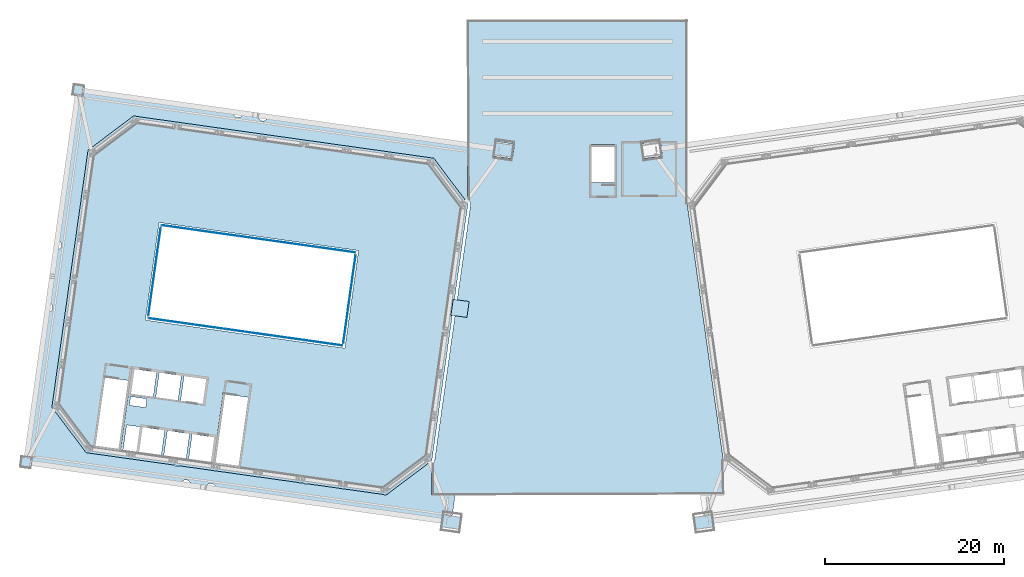
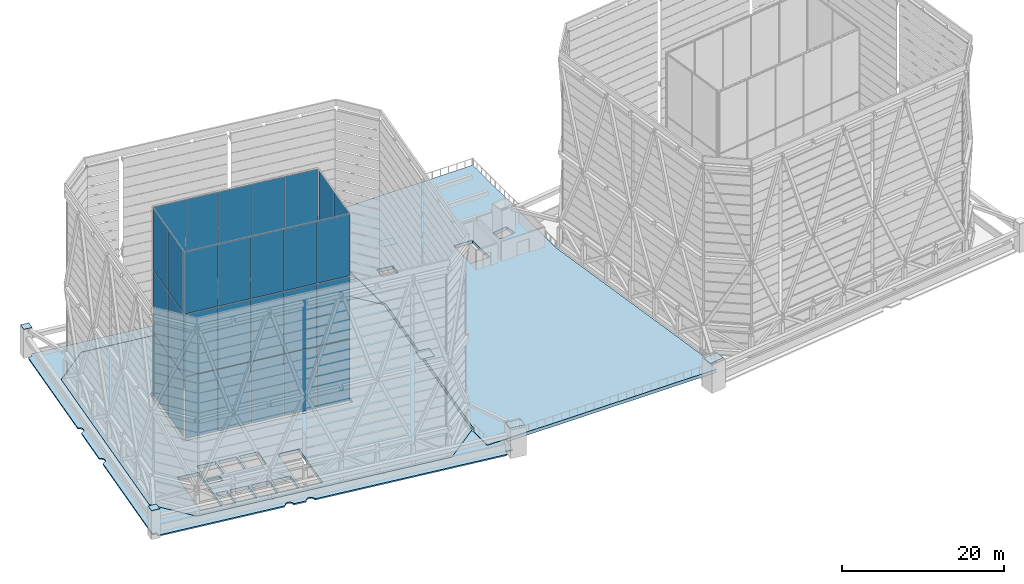
# One storey, part 18 of 45: 48 plates, 3 slabs, 4 elements without a shape of their own.
"""IFC4 building model written with IfcOpenShell, lengths in metres."""

from ifc_helpers import new_model, si_unit, direction, frame, origin, origin_2d, place, context, subcontext, project, spatial, polyline, rectangle, outline, extrude, material, layer, layer_set, type_object, element, aggregate, save


model = new_model("IFC4")

# Units and contexts
model_context = context("Model", 3, precision=1e-05, world=origin(), true_north=direction((0.0, 1.0)))
body_context = subcontext(model_context, "Body", "Model", "MODEL_VIEW")
ifc_project = project(units=[si_unit("LENGTHUNIT", "METRE"), si_unit("AREAUNIT", "SQUARE_METRE"), si_unit("VOLUMEUNIT", "CUBIC_METRE"), si_unit("PLANEANGLEUNIT", "RADIAN"), si_unit("MASSUNIT", "GRAM", prefix="KILO")], contexts=[model_context])

# Site, building, storey
site_placement = place(None, origin())
site = spatial("IfcSite", under=ifc_project, at=site_placement, CompositionType="ELEMENT")
building_placement = place(site_placement, origin())
building = spatial("IfcBuilding", under=site, at=building_placement, Name="Mirante Cascada Hotel Towers", CompositionType="ELEMENT")
storey_placement = place(building_placement, frame((0.0, 0.0, 269.8)))
storey = spatial("IfcBuildingStorey", under=building, at=storey_placement, Name="Roof garden", CompositionType="ELEMENT", Elevation=269.8)

# Slab
ifc_material_1 = material(Name="Precast concrete C40/50", Category="concrete")
ifc_layer_1 = layer(ifc_material_1, 0.2)
ifc_layer_set_1 = layer_set([ifc_layer_1], Name="Crown deck edge slab 200 C40/50")
slab_type_1 = type_object("IfcSlabType", Name="Crown deck edge slab 200 C40/50", PredefinedType="FLOOR", material=ifc_layer_set_1)
slab_1_placement = place(storey_placement, frame((0.0, 0.0, -0.2)))
element("IfcSlab", 1, at=slab_1_placement, inside=storey, type_object=slab_type_1, Name="Crown deck edge slab T1 1", PredefinedType="FLOOR", context=body_context, shape_type="SweptSolid", body=[
    extrude(outline(polyline([(-61.0194, -18.2917), (-61.4575, -18.2234), (-61.5225, -18.1654), (-61.543, -18.0664), (-59.3043, -2.1372), (-59.2767, -2.0693), (-59.2332, -2.0296), (-58.9954, -1.9671), (-58.823, -1.8519), (-58.7225, -1.7164), (-58.6624, -1.518), (-58.6706, -1.3496), (-58.75, -1.1581), (-58.8632, -1.0331), (-59.0661, -0.9163), (-59.1009, -0.8696), (-59.1154, -0.7986), (-58.3215, 4.8559), (-58.2938, 4.9237), (-58.2504, 4.9634), (-58.0126, 5.026), (-57.8402, 5.1412), (-57.7397, 5.2766), (-57.6796, 5.475), (-57.6878, 5.6434), (-57.7672, 5.8349), (-57.8804, 5.9599), (-58.0936, 6.0871), (-58.1281, 6.1509), (-58.1313, 6.209), (-55.8926, 22.1385), (-55.8456, 22.228), (-55.7672, 22.2658), (-55.3272, 22.2107), (-55.2686, 22.621), (-55.2131, 22.7055), (-55.1604, 22.7309), (-55.102, 22.7342), (-38.6196, 20.4178), (-38.5518, 20.3902), (-38.5121, 20.3467), (-38.4495, 20.1089), (-38.3343, 19.9365), (-38.1989, 19.8361), (-38.0005, 19.7759), (-37.8321, 19.7842), (-37.6406, 19.8635), (-37.5156, 19.9767), (-37.3987, 20.1796), (-37.3103, 20.2273), (-35.8364, 20.0266), (-35.7685, 19.999), (-35.7288, 19.9556), (-35.6662, 19.7177), (-35.5511, 19.5453), (-35.4156, 19.4449), (-35.2172, 19.3847), (-35.0488, 19.393), (-34.8573, 19.4723), (-34.7323, 19.5856), (-34.6051, 19.7988), (-34.5553, 19.8289), (-34.4832, 19.8365), (-12.4305, 16.7371), (-12.3767, 16.7187), (-12.3336, 16.6815), (-12.3014, 16.5886), (-12.3014, 10.6627), (-12.3132, 10.6044), (-12.3467, 10.5553), (-12.3967, 10.5231), (-12.4553, 10.5128), (-12.5266, 10.533), (-12.5712, 10.5725), (-15.8647, 14.9432), (-15.9591, 15.1093), (-16.0814, 15.2304), (-16.1942, 15.2663), (-16.2856, 15.2838), (-16.4372, 15.2806), (-20.835, 15.8987), (-21.0192, 15.9494), (-21.1781, 15.9469), (-25.5759, 16.565), (-25.7601, 16.6157), (-25.919, 16.6132), (-30.3168, 17.2313), (-30.501, 17.2819), (-30.6599, 17.2795), (-35.0577, 17.8975), (-35.2419, 17.9482), (-35.4008, 17.9458), (-39.7986, 18.5638), (-39.9828, 18.6145), (-40.1417, 18.612), (-44.5395, 19.2301), (-44.7237, 19.2808), (-44.8826, 19.2783), (-49.2804, 19.8964), (-49.4646, 19.9471), (-49.6367, 19.9463), (-49.7755, 19.8718), (-49.9238, 19.7302), (-54.4319, 16.3331), (-54.5979, 16.2387), (-54.7191, 16.1165), (-54.755, 16.0037), (-54.7724, 15.9122), (-54.7692, 15.7607), (-55.3851, 11.379), (-55.4357, 11.1948), (-55.4333, 11.0359), (-56.0491, 6.6542), (-56.0998, 6.47), (-56.0973, 6.3111), (-56.7131, 1.9294), (-56.7638, 1.7452), (-56.7613, 1.5864), (-57.3771, -2.7954), (-57.4278, -2.9795), (-57.4253, -3.1384), (-58.0411, -7.5201), (-58.0918, -7.7043), (-58.0894, -7.8632), (-58.7052, -12.2449), (-58.7487, -12.383), (-58.7585, -12.4756), (-58.7551, -12.6012), (-58.6764, -12.7461), (-58.539, -12.8882), (-55.1419, -17.3963), (-55.0475, -17.5624), (-54.9252, -17.6835), (-54.7671, -17.7304), (-54.5694, -17.7337), (-50.1716, -18.3518), (-49.9874, -18.4025), (-49.8285, -18.4), (-45.4307, -19.0181), (-45.2926, -19.0616), (-45.1451, -19.0755), (-44.9756, -19.1495), (-44.8556, -19.1741), (-44.7332, -19.1748), (-44.5383, -19.1435), (-40.6898, -19.6844), (-40.5056, -19.7351), (-40.3467, -19.7326), (-35.9489, -20.3507), (-35.7647, -20.4014), (-35.6058, -20.3989), (-31.208, -21.017), (-31.0238, -21.0676), (-30.8792, -21.0638), (-30.682, -21.0909), (-30.5122, -21.1711), (-30.3414, -21.2139), (-30.2189, -21.2146), (-30.024, -21.1833), (-26.4671, -21.6832), (-26.2829, -21.7339), (-26.1241, -21.7315), (-21.7262, -22.3495), (-21.5881, -22.393), (-21.4955, -22.4029), (-21.3699, -22.3994), (-21.225, -22.3208), (-21.0829, -22.1833), (-16.5748, -18.7862), (-16.5199, -18.7601), (-16.4483, -18.7597), (-16.3649, -18.8134), (-16.3332, -18.9075), (-16.3344, -22.3687), (-16.2855, -22.4019), (-13.8531, -22.4019), (-13.7944, -22.4139), (-13.745, -22.4479), (-13.7083, -22.5129), (-13.7046, -22.5728), (-13.9892, -24.5982), (-14.0085, -24.6534), (-14.0475, -24.6971), (-14.1002, -24.7225), (-14.1587, -24.7259), (-15.0002, -24.6078), (-15.0839, -25.1808), (-15.1474, -25.2594), (-15.2464, -25.2799), (-40.3283, -21.7548), (-40.3838, -21.7354), (-40.4358, -21.6838), (-40.4984, -21.4459), (-40.6136, -21.2736), (-40.749, -21.1731), (-40.9474, -21.1129), (-41.1158, -21.1212), (-41.3074, -21.2005), (-41.4323, -21.3138), (-41.5595, -21.527), (-41.6233, -21.5614), (-41.6814, -21.5647), (-43.154, -21.3511), (-43.2261, -21.2796), (-43.2817, -21.0548), (-43.3968, -20.8824), (-43.5323, -20.7819), (-43.7307, -20.7218), (-43.8991, -20.73), (-44.0906, -20.8094), (-44.2156, -20.9226), (-44.3428, -21.1358), (-44.3926, -21.1659), (-44.4647, -21.1735), (-60.9472, -18.857), (-61.0262, -18.8204), (-61.0745, -18.7316), (-61.0194, -18.2917)])), origin(), (0.0, 0.0, 1.0), 0.2),
])

# Curtain wall, plates
ifc_material_2 = material(Name="Aluminium mullion and transom frame with clear laminated glass", Category="aluminium")
curtain_wall_type = type_object("IfcCurtainWallType", Name="Atrium rooflight wall ECW6", PredefinedType="NOTDEFINED", material=ifc_material_2)
curtain_wall_1_placement = place(storey_placement, origin())
curtain_wall_1 = element("IfcCurtainWall", 2, at=curtain_wall_1_placement, inside=storey, type_object=curtain_wall_type, Name="Atrium rooflight wall T1 long rear", PredefinedType="NOTDEFINED")
ifc_material_3 = material(Name="Clear laminated glass", Category="glass")
ifc_layer_2 = layer(ifc_material_3, 0.036)
ifc_layer_set_2 = layer_set([ifc_layer_2], Name="ECW6 glass panel 36")
plate_type_1 = type_object("IfcPlateType", Name="ECW6 glass panel 36", PredefinedType="CURTAIN_PANEL", material=ifc_layer_set_2)
plate_1_placement = place(storey_placement, frame((-28.4257, -5.4022, 0.0999), z_axis=(0.0, 0.0, 1.0), x_axis=(-0.9902681, 0.1391731, 0.0)))
plate_1 = element("IfcPlate", 3, at=plate_1_placement, type_object=plate_type_1, Name="ECW6 panel 1", PredefinedType="CURTAIN_PANEL", context=body_context, shape_type="SweptSolid", body=[
    extrude(rectangle(XDim=4.295, YDim=0.036, at=origin_2d()), origin(), (0.0, 0.0, 1.0), 9.2667),
])
plate_2_placement = place(storey_placement, frame((-28.4257, -5.4022, 9.4667), z_axis=(0.0, 0.0, 1.0), x_axis=(-0.9902681, 0.1391731, 0.0)))
plate_2 = element("IfcPlate", 4, at=plate_2_placement, type_object=plate_type_1, Name="ECW6 panel 1", PredefinedType="CURTAIN_PANEL", context=body_context, shape_type="SweptSolid", body=[
    extrude(rectangle(XDim=4.295, YDim=0.036, at=origin_2d()), origin(), (0.0, 0.0, 1.0), 9.3167),
])
plate_3_placement = place(storey_placement, frame((-28.4257, -5.4022, 18.8834), z_axis=(0.0, 0.0, 1.0), x_axis=(-0.9902681, 0.1391731, 0.0)))
plate_3 = element("IfcPlate", 5, at=plate_3_placement, type_object=plate_type_1, Name="ECW6 panel 1", PredefinedType="CURTAIN_PANEL", context=body_context, shape_type="SweptSolid", body=[
    extrude(rectangle(XDim=4.295, YDim=0.036, at=origin_2d()), origin(), (0.0, 0.0, 1.0), 9.2667),
])
plate_4_placement = place(storey_placement, frame((-32.7655, -4.7923, 0.0999), z_axis=(0.0, 0.0, 1.0), x_axis=(-0.9902681, 0.1391731, 0.0)))
plate_4 = element("IfcPlate", 6, at=plate_4_placement, type_object=plate_type_1, Name="ECW6 panel 2", PredefinedType="CURTAIN_PANEL", context=body_context, shape_type="SweptSolid", body=[
    extrude(rectangle(XDim=4.33, YDim=0.036, at=origin_2d()), origin(), (0.0, 0.0, 1.0), 9.2667),
])
plate_5_placement = place(storey_placement, frame((-32.7655, -4.7923, 9.4667), z_axis=(0.0, 0.0, 1.0), x_axis=(-0.9902681, 0.1391731, 0.0)))
plate_5 = element("IfcPlate", 7, at=plate_5_placement, type_object=plate_type_1, Name="ECW6 panel 2", PredefinedType="CURTAIN_PANEL", context=body_context, shape_type="SweptSolid", body=[
    extrude(rectangle(XDim=4.33, YDim=0.036, at=origin_2d()), origin(), (0.0, 0.0, 1.0), 9.3167),
])
plate_6_placement = place(storey_placement, frame((-32.7655, -4.7923, 18.8834), z_axis=(0.0, 0.0, 1.0), x_axis=(-0.9902681, 0.1391731, 0.0)))
plate_6 = element("IfcPlate", 8, at=plate_6_placement, type_object=plate_type_1, Name="ECW6 panel 2", PredefinedType="CURTAIN_PANEL", context=body_context, shape_type="SweptSolid", body=[
    extrude(rectangle(XDim=4.33, YDim=0.036, at=origin_2d()), origin(), (0.0, 0.0, 1.0), 9.2667),
])
plate_7_placement = place(storey_placement, frame((-37.1227, -4.1799, 0.0999), z_axis=(0.0, 0.0, 1.0), x_axis=(-0.9902681, 0.1391731, 0.0)))
plate_7 = element("IfcPlate", 9, at=plate_7_placement, type_object=plate_type_1, Name="ECW6 panel 3", PredefinedType="CURTAIN_PANEL", context=body_context, shape_type="SweptSolid", body=[
    extrude(rectangle(XDim=4.33, YDim=0.036, at=origin_2d()), origin(), (0.0, 0.0, 1.0), 9.2667),
])
plate_8_placement = place(storey_placement, frame((-37.1227, -4.1799, 9.4667), z_axis=(0.0, 0.0, 1.0), x_axis=(-0.9902681, 0.1391731, 0.0)))
plate_8 = element("IfcPlate", 10, at=plate_8_placement, type_object=plate_type_1, Name="ECW6 panel 3", PredefinedType="CURTAIN_PANEL", context=body_context, shape_type="SweptSolid", body=[
    extrude(rectangle(XDim=4.33, YDim=0.036, at=origin_2d()), origin(), (0.0, 0.0, 1.0), 9.3167),
])
plate_9_placement = place(storey_placement, frame((-37.1227, -4.1799, 18.8834), z_axis=(0.0, 0.0, 1.0), x_axis=(-0.9902681, 0.1391731, 0.0)))
plate_9 = element("IfcPlate", 11, at=plate_9_placement, type_object=plate_type_1, Name="ECW6 panel 3", PredefinedType="CURTAIN_PANEL", context=body_context, shape_type="SweptSolid", body=[
    extrude(rectangle(XDim=4.33, YDim=0.036, at=origin_2d()), origin(), (0.0, 0.0, 1.0), 9.2667),
])
plate_10_placement = place(storey_placement, frame((-41.4799, -3.5676, 0.0999), z_axis=(0.0, 0.0, 1.0), x_axis=(-0.9902681, 0.1391731, 0.0)))
plate_10 = element("IfcPlate", 12, at=plate_10_placement, type_object=plate_type_1, Name="ECW6 panel 4", PredefinedType="CURTAIN_PANEL", context=body_context, shape_type="SweptSolid", body=[
    extrude(rectangle(XDim=4.33, YDim=0.036, at=origin_2d()), origin(), (0.0, 0.0, 1.0), 9.2667),
])
plate_11_placement = place(storey_placement, frame((-41.4799, -3.5676, 9.4667), z_axis=(0.0, 0.0, 1.0), x_axis=(-0.9902681, 0.1391731, 0.0)))
plate_11 = element("IfcPlate", 13, at=plate_11_placement, type_object=plate_type_1, Name="ECW6 panel 4", PredefinedType="CURTAIN_PANEL", context=body_context, shape_type="SweptSolid", body=[
    extrude(rectangle(XDim=4.33, YDim=0.036, at=origin_2d()), origin(), (0.0, 0.0, 1.0), 9.3167),
])
plate_12_placement = place(storey_placement, frame((-41.4799, -3.5676, 18.8834), z_axis=(0.0, 0.0, 1.0), x_axis=(-0.9902681, 0.1391731, 0.0)))
plate_12 = element("IfcPlate", 14, at=plate_12_placement, type_object=plate_type_1, Name="ECW6 panel 4", PredefinedType="CURTAIN_PANEL", context=body_context, shape_type="SweptSolid", body=[
    extrude(rectangle(XDim=4.33, YDim=0.036, at=origin_2d()), origin(), (0.0, 0.0, 1.0), 9.2667),
])
plate_13_placement = place(storey_placement, frame((-45.8197, -2.9576, 0.0999), z_axis=(0.0, 0.0, 1.0), x_axis=(-0.9902681, 0.1391731, 0.0)))
plate_13 = element("IfcPlate", 15, at=plate_13_placement, type_object=plate_type_1, Name="ECW6 panel 5", PredefinedType="CURTAIN_PANEL", context=body_context, shape_type="SweptSolid", body=[
    extrude(rectangle(XDim=4.295, YDim=0.036, at=origin_2d()), origin(), (0.0, 0.0, 1.0), 9.2667),
])
plate_14_placement = place(storey_placement, frame((-45.8197, -2.9576, 9.4667), z_axis=(0.0, 0.0, 1.0), x_axis=(-0.9902681, 0.1391731, 0.0)))
plate_14 = element("IfcPlate", 16, at=plate_14_placement, type_object=plate_type_1, Name="ECW6 panel 5", PredefinedType="CURTAIN_PANEL", context=body_context, shape_type="SweptSolid", body=[
    extrude(rectangle(XDim=4.295, YDim=0.036, at=origin_2d()), origin(), (0.0, 0.0, 1.0), 9.3167),
])
plate_15_placement = place(storey_placement, frame((-45.8197, -2.9576, 18.8834), z_axis=(0.0, 0.0, 1.0), x_axis=(-0.9902681, 0.1391731, 0.0)))
plate_15 = element("IfcPlate", 17, at=plate_15_placement, type_object=plate_type_1, Name="ECW6 panel 5", PredefinedType="CURTAIN_PANEL", context=body_context, shape_type="SweptSolid", body=[
    extrude(rectangle(XDim=4.295, YDim=0.036, at=origin_2d()), origin(), (0.0, 0.0, 1.0), 9.2667),
])
aggregate(curtain_wall_1, [plate_1, plate_2, plate_3, plate_4, plate_5, plate_6, plate_7, plate_8, plate_9, plate_10, plate_11, plate_12, plate_13, plate_14, plate_15])

curtain_wall_2_placement = place(storey_placement, origin())
curtain_wall_2 = element("IfcCurtainWall", 18, at=curtain_wall_2_placement, inside=storey, type_object=curtain_wall_type, Name="Atrium rooflight wall T1 outer", PredefinedType="NOTDEFINED")
plate_16_placement = place(storey_placement, frame((-47.6326, 0.0767, 0.0999), z_axis=(0.0, 0.0, 1.0), x_axis=(0.1391731, 0.9902681, 0.0)))
plate_16 = element("IfcPlate", 19, at=plate_16_placement, type_object=plate_type_1, Name="ECW6 panel 1", PredefinedType="CURTAIN_PANEL", context=body_context, shape_type="SweptSolid", body=[
    extrude(rectangle(XDim=4.925, YDim=0.036, at=origin_2d()), origin(), (0.0, 0.0, 1.0), 9.2667),
])
plate_17_placement = place(storey_placement, frame((-47.6326, 0.0767, 9.4667), z_axis=(0.0, 0.0, 1.0), x_axis=(0.1391731, 0.9902681, 0.0)))
plate_17 = element("IfcPlate", 20, at=plate_17_placement, type_object=plate_type_1, Name="ECW6 panel 1", PredefinedType="CURTAIN_PANEL", context=body_context, shape_type="SweptSolid", body=[
    extrude(rectangle(XDim=4.925, YDim=0.036, at=origin_2d()), origin(), (0.0, 0.0, 1.0), 9.3167),
])
plate_18_placement = place(storey_placement, frame((-47.6326, 0.0767, 18.8834), z_axis=(0.0, 0.0, 1.0), x_axis=(0.1391731, 0.9902681, 0.0)))
plate_18 = element("IfcPlate", 21, at=plate_18_placement, type_object=plate_type_1, Name="ECW6 panel 1", PredefinedType="CURTAIN_PANEL", context=body_context, shape_type="SweptSolid", body=[
    extrude(rectangle(XDim=4.925, YDim=0.036, at=origin_2d()), origin(), (0.0, 0.0, 1.0), 9.2667),
])
plate_19_placement = place(storey_placement, frame((-46.9374, 5.0231, 0.0999), z_axis=(0.0, 0.0, 1.0), x_axis=(0.1391731, 0.9902681, 0.0)))
plate_19 = element("IfcPlate", 22, at=plate_19_placement, type_object=plate_type_1, Name="ECW6 panel 2", PredefinedType="CURTAIN_PANEL", context=body_context, shape_type="SweptSolid", body=[
    extrude(rectangle(XDim=4.925, YDim=0.036, at=origin_2d()), origin(), (0.0, 0.0, 1.0), 9.2667),
])
plate_20_placement = place(storey_placement, frame((-46.9374, 5.0231, 9.4667), z_axis=(0.0, 0.0, 1.0), x_axis=(0.1391731, 0.9902681, 0.0)))
plate_20 = element("IfcPlate", 23, at=plate_20_placement, type_object=plate_type_1, Name="ECW6 panel 2", PredefinedType="CURTAIN_PANEL", context=body_context, shape_type="SweptSolid", body=[
    extrude(rectangle(XDim=4.925, YDim=0.036, at=origin_2d()), origin(), (0.0, 0.0, 1.0), 9.3167),
])
plate_21_placement = place(storey_placement, frame((-46.9374, 5.0231, 18.8834), z_axis=(0.0, 0.0, 1.0), x_axis=(0.1391731, 0.9902681, 0.0)))
plate_21 = element("IfcPlate", 24, at=plate_21_placement, type_object=plate_type_1, Name="ECW6 panel 2", PredefinedType="CURTAIN_PANEL", context=body_context, shape_type="SweptSolid", body=[
    extrude(rectangle(XDim=4.925, YDim=0.036, at=origin_2d()), origin(), (0.0, 0.0, 1.0), 9.2667),
])
aggregate(curtain_wall_2, [plate_16, plate_17, plate_18, plate_19, plate_20, plate_21])

curtain_wall_3_placement = place(storey_placement, origin())
curtain_wall_3 = element("IfcCurtainWall", 25, at=curtain_wall_3_placement, inside=storey, type_object=curtain_wall_type, Name="Atrium rooflight wall T1 long front", PredefinedType="NOTDEFINED")
plate_22_placement = place(storey_placement, frame((-44.3584, 7.4402, 0.0999), z_axis=(0.0, 0.0, 1.0), x_axis=(0.9902681, -0.1391731, 0.0)))
plate_22 = element("IfcPlate", 26, at=plate_22_placement, type_object=plate_type_1, Name="ECW6 panel 1", PredefinedType="CURTAIN_PANEL", context=body_context, shape_type="SweptSolid", body=[
    extrude(rectangle(XDim=4.295, YDim=0.036, at=origin_2d()), origin(), (0.0, 0.0, 1.0), 9.2667),
])
plate_23_placement = place(storey_placement, frame((-44.3584, 7.4402, 9.4667), z_axis=(0.0, 0.0, 1.0), x_axis=(0.9902681, -0.1391731, 0.0)))
plate_23 = element("IfcPlate", 27, at=plate_23_placement, type_object=plate_type_1, Name="ECW6 panel 1", PredefinedType="CURTAIN_PANEL", context=body_context, shape_type="SweptSolid", body=[
    extrude(rectangle(XDim=4.295, YDim=0.036, at=origin_2d()), origin(), (0.0, 0.0, 1.0), 9.3167),
])
plate_24_placement = place(storey_placement, frame((-44.3584, 7.4402, 18.8834), z_axis=(0.0, 0.0, 1.0), x_axis=(0.9902681, -0.1391731, 0.0)))
plate_24 = element("IfcPlate", 28, at=plate_24_placement, type_object=plate_type_1, Name="ECW6 panel 1", PredefinedType="CURTAIN_PANEL", context=body_context, shape_type="SweptSolid", body=[
    extrude(rectangle(XDim=4.295, YDim=0.036, at=origin_2d()), origin(), (0.0, 0.0, 1.0), 9.2667),
])
plate_25_placement = place(storey_placement, frame((-40.0186, 6.8303, 0.0999), z_axis=(0.0, 0.0, 1.0), x_axis=(0.9902681, -0.1391731, 0.0)))
plate_25 = element("IfcPlate", 29, at=plate_25_placement, type_object=plate_type_1, Name="ECW6 panel 2", PredefinedType="CURTAIN_PANEL", context=body_context, shape_type="SweptSolid", body=[
    extrude(rectangle(XDim=4.33, YDim=0.036, at=origin_2d()), origin(), (0.0, 0.0, 1.0), 9.2667),
])
plate_26_placement = place(storey_placement, frame((-40.0186, 6.8303, 9.4667), z_axis=(0.0, 0.0, 1.0), x_axis=(0.9902681, -0.1391731, 0.0)))
plate_26 = element("IfcPlate", 30, at=plate_26_placement, type_object=plate_type_1, Name="ECW6 panel 2", PredefinedType="CURTAIN_PANEL", context=body_context, shape_type="SweptSolid", body=[
    extrude(rectangle(XDim=4.33, YDim=0.036, at=origin_2d()), origin(), (0.0, 0.0, 1.0), 9.3167),
])
plate_27_placement = place(storey_placement, frame((-40.0186, 6.8303, 18.8834), z_axis=(0.0, 0.0, 1.0), x_axis=(0.9902681, -0.1391731, 0.0)))
plate_27 = element("IfcPlate", 31, at=plate_27_placement, type_object=plate_type_1, Name="ECW6 panel 2", PredefinedType="CURTAIN_PANEL", context=body_context, shape_type="SweptSolid", body=[
    extrude(rectangle(XDim=4.33, YDim=0.036, at=origin_2d()), origin(), (0.0, 0.0, 1.0), 9.2667),
])
plate_28_placement = place(storey_placement, frame((-35.6614, 6.2179, 0.0999), z_axis=(0.0, 0.0, 1.0), x_axis=(0.9902681, -0.1391731, 0.0)))
plate_28 = element("IfcPlate", 32, at=plate_28_placement, type_object=plate_type_1, Name="ECW6 panel 3", PredefinedType="CURTAIN_PANEL", context=body_context, shape_type="SweptSolid", body=[
    extrude(rectangle(XDim=4.33, YDim=0.036, at=origin_2d()), origin(), (0.0, 0.0, 1.0), 9.2667),
])
plate_29_placement = place(storey_placement, frame((-35.6614, 6.2179, 9.4667), z_axis=(0.0, 0.0, 1.0), x_axis=(0.9902681, -0.1391731, 0.0)))
plate_29 = element("IfcPlate", 33, at=plate_29_placement, type_object=plate_type_1, Name="ECW6 panel 3", PredefinedType="CURTAIN_PANEL", context=body_context, shape_type="SweptSolid", body=[
    extrude(rectangle(XDim=4.33, YDim=0.036, at=origin_2d()), origin(), (0.0, 0.0, 1.0), 9.3167),
])
plate_30_placement = place(storey_placement, frame((-35.6614, 6.2179, 18.8834), z_axis=(0.0, 0.0, 1.0), x_axis=(0.9902681, -0.1391731, 0.0)))
plate_30 = element("IfcPlate", 34, at=plate_30_placement, type_object=plate_type_1, Name="ECW6 panel 3", PredefinedType="CURTAIN_PANEL", context=body_context, shape_type="SweptSolid", body=[
    extrude(rectangle(XDim=4.33, YDim=0.036, at=origin_2d()), origin(), (0.0, 0.0, 1.0), 9.2667),
])
plate_31_placement = place(storey_placement, frame((-31.3042, 5.6055, 0.0999), z_axis=(0.0, 0.0, 1.0), x_axis=(0.9902681, -0.1391731, 0.0)))
plate_31 = element("IfcPlate", 35, at=plate_31_placement, type_object=plate_type_1, Name="ECW6 panel 4", PredefinedType="CURTAIN_PANEL", context=body_context, shape_type="SweptSolid", body=[
    extrude(rectangle(XDim=4.33, YDim=0.036, at=origin_2d()), origin(), (0.0, 0.0, 1.0), 9.2667),
])
plate_32_placement = place(storey_placement, frame((-31.3042, 5.6055, 9.4667), z_axis=(0.0, 0.0, 1.0), x_axis=(0.9902681, -0.1391731, 0.0)))
plate_32 = element("IfcPlate", 36, at=plate_32_placement, type_object=plate_type_1, Name="ECW6 panel 4", PredefinedType="CURTAIN_PANEL", context=body_context, shape_type="SweptSolid", body=[
    extrude(rectangle(XDim=4.33, YDim=0.036, at=origin_2d()), origin(), (0.0, 0.0, 1.0), 9.3167),
])
plate_33_placement = place(storey_placement, frame((-31.3042, 5.6055, 18.8834), z_axis=(0.0, 0.0, 1.0), x_axis=(0.9902681, -0.1391731, 0.0)))
plate_33 = element("IfcPlate", 37, at=plate_33_placement, type_object=plate_type_1, Name="ECW6 panel 4", PredefinedType="CURTAIN_PANEL", context=body_context, shape_type="SweptSolid", body=[
    extrude(rectangle(XDim=4.33, YDim=0.036, at=origin_2d()), origin(), (0.0, 0.0, 1.0), 9.2667),
])
plate_34_placement = place(storey_placement, frame((-26.9644, 4.9956, 0.0999), z_axis=(0.0, 0.0, 1.0), x_axis=(0.9902681, -0.1391731, 0.0)))
plate_34 = element("IfcPlate", 38, at=plate_34_placement, type_object=plate_type_1, Name="ECW6 panel 5", PredefinedType="CURTAIN_PANEL", context=body_context, shape_type="SweptSolid", body=[
    extrude(rectangle(XDim=4.295, YDim=0.036, at=origin_2d()), origin(), (0.0, 0.0, 1.0), 9.2667),
])
plate_35_placement = place(storey_placement, frame((-26.9644, 4.9956, 9.4667), z_axis=(0.0, 0.0, 1.0), x_axis=(0.9902681, -0.1391731, 0.0)))
plate_35 = element("IfcPlate", 39, at=plate_35_placement, type_object=plate_type_1, Name="ECW6 panel 5", PredefinedType="CURTAIN_PANEL", context=body_context, shape_type="SweptSolid", body=[
    extrude(rectangle(XDim=4.295, YDim=0.036, at=origin_2d()), origin(), (0.0, 0.0, 1.0), 9.3167),
])
plate_36_placement = place(storey_placement, frame((-26.9644, 4.9956, 18.8834), z_axis=(0.0, 0.0, 1.0), x_axis=(0.9902681, -0.1391731, 0.0)))
plate_36 = element("IfcPlate", 40, at=plate_36_placement, type_object=plate_type_1, Name="ECW6 panel 5", PredefinedType="CURTAIN_PANEL", context=body_context, shape_type="SweptSolid", body=[
    extrude(rectangle(XDim=4.295, YDim=0.036, at=origin_2d()), origin(), (0.0, 0.0, 1.0), 9.2667),
])
aggregate(curtain_wall_3, [plate_22, plate_23, plate_24, plate_25, plate_26, plate_27, plate_28, plate_29, plate_30, plate_31, plate_32, plate_33, plate_34, plate_35, plate_36])

curtain_wall_4_placement = place(storey_placement, origin())
curtain_wall_4 = element("IfcCurtainWall", 41, at=curtain_wall_4_placement, inside=storey, type_object=curtain_wall_type, Name="Atrium rooflight wall T1 inner", PredefinedType="NOTDEFINED")
plate_37_placement = place(storey_placement, frame((-25.1515, 1.9613, 0.0999), z_axis=(0.0, 0.0, 1.0), x_axis=(-0.1391731, -0.9902681, 0.0)))
plate_37 = element("IfcPlate", 42, at=plate_37_placement, type_object=plate_type_1, Name="ECW6 panel 1", PredefinedType="CURTAIN_PANEL", context=body_context, shape_type="SweptSolid", body=[
    extrude(rectangle(XDim=4.925, YDim=0.036, at=origin_2d()), origin(), (0.0, 0.0, 1.0), 9.2667),
])
plate_38_placement = place(storey_placement, frame((-25.1515, 1.9613, 9.4667), z_axis=(0.0, 0.0, 1.0), x_axis=(-0.1391731, -0.9902681, 0.0)))
plate_38 = element("IfcPlate", 43, at=plate_38_placement, type_object=plate_type_1, Name="ECW6 panel 1", PredefinedType="CURTAIN_PANEL", context=body_context, shape_type="SweptSolid", body=[
    extrude(rectangle(XDim=4.925, YDim=0.036, at=origin_2d()), origin(), (0.0, 0.0, 1.0), 9.3167),
])
plate_39_placement = place(storey_placement, frame((-25.1515, 1.9613, 18.8834), z_axis=(0.0, 0.0, 1.0), x_axis=(-0.1391731, -0.9902681, 0.0)))
plate_39 = element("IfcPlate", 44, at=plate_39_placement, type_object=plate_type_1, Name="ECW6 panel 1", PredefinedType="CURTAIN_PANEL", context=body_context, shape_type="SweptSolid", body=[
    extrude(rectangle(XDim=4.925, YDim=0.036, at=origin_2d()), origin(), (0.0, 0.0, 1.0), 9.2667),
])
plate_40_placement = place(storey_placement, frame((-25.8467, -2.9851, 0.0999), z_axis=(0.0, 0.0, 1.0), x_axis=(-0.1391731, -0.9902681, 0.0)))
plate_40 = element("IfcPlate", 45, at=plate_40_placement, type_object=plate_type_1, Name="ECW6 panel 2", PredefinedType="CURTAIN_PANEL", context=body_context, shape_type="SweptSolid", body=[
    extrude(rectangle(XDim=4.925, YDim=0.036, at=origin_2d()), origin(), (0.0, 0.0, 1.0), 9.2667),
])
plate_41_placement = place(storey_placement, frame((-25.8467, -2.9851, 9.4667), z_axis=(0.0, 0.0, 1.0), x_axis=(-0.1391731, -0.9902681, 0.0)))
plate_41 = element("IfcPlate", 46, at=plate_41_placement, type_object=plate_type_1, Name="ECW6 panel 2", PredefinedType="CURTAIN_PANEL", context=body_context, shape_type="SweptSolid", body=[
    extrude(rectangle(XDim=4.925, YDim=0.036, at=origin_2d()), origin(), (0.0, 0.0, 1.0), 9.3167),
])
plate_42_placement = place(storey_placement, frame((-25.8467, -2.9851, 18.8834), z_axis=(0.0, 0.0, 1.0), x_axis=(-0.1391731, -0.9902681, 0.0)))
plate_42 = element("IfcPlate", 47, at=plate_42_placement, type_object=plate_type_1, Name="ECW6 panel 2", PredefinedType="CURTAIN_PANEL", context=body_context, shape_type="SweptSolid", body=[
    extrude(rectangle(XDim=4.925, YDim=0.036, at=origin_2d()), origin(), (0.0, 0.0, 1.0), 9.2667),
])
aggregate(curtain_wall_4, [plate_37, plate_38, plate_39, plate_40, plate_41, plate_42])

# Plates
ifc_material_4 = material(Name="Steel ASTM A572 Gr 50", Category="steel")
ifc_layer_3 = layer(ifc_material_4, 0.04)
ifc_layer_set_3 = layer_set([ifc_layer_3], Name="End plate 1100x1100x40 ASTM A572 Gr 50")
plate_type_2 = type_object("IfcPlateType", Name="End plate 1100x1100x40 ASTM A572 Gr 50", PredefinedType="SHEET", material=ifc_layer_set_3)
for number, where, z_axis, x_axis, name in (
    (48, (-55.7951, 22.8316, 4.3), (0.0, 0.0, 1.0), (-0.9902681, 0.1391731, 0.0), "End plate MC3"),
    (49, (-61.6404, -18.7596, 4.3), (0.0, 0.0, 1.0), (-0.9902681, 0.1391731, 0.0), "End plate MC4"),
):
    element("IfcPlate", number, at=place(storey_placement, frame(where, z_axis=z_axis, x_axis=x_axis)), inside=storey, type_object=plate_type_2, Name=name, PredefinedType="SHEET", context=body_context, shape_type="SweptSolid", body=[
        extrude(rectangle(XDim=1.1, YDim=1.1, at=origin_2d()), origin(), (0.0, 0.0, 1.0), 0.04),
    ])
ifc_material_5 = material(Name="Steel ASTM A572 Gr 50", Category="steel")
ifc_layer_4 = layer(ifc_material_5, 0.04)
ifc_layer_set_4 = layer_set([ifc_layer_4], Name="End plate 1400x2000x40 ASTM A572 Gr 50")
plate_type_3 = type_object("IfcPlateType", Name="End plate 1400x2000x40 ASTM A572 Gr 50", PredefinedType="SHEET", material=ifc_layer_set_4)
for number, where, z_axis, x_axis, name in (
    (50, (-8.2623, 16.1513, 4.3), (0.0, 0.0, 1.0), (-0.9902681, 0.1391731, 0.0), "End plate MC1"),
    (51, (-14.1075, -25.4399, 4.3), (0.0, 0.0, 1.0), (-0.9902681, 0.1391731, 0.0), "End plate MC2"),
    (52, (14.1075, -25.4399, 4.3), (0.0, 0.0, 1.0), (0.9902681, 0.1391731, 0.0), "End plate MC2"),
):
    element("IfcPlate", number, at=place(storey_placement, frame(where, z_axis=z_axis, x_axis=x_axis)), inside=storey, type_object=plate_type_3, Name=name, PredefinedType="SHEET", context=body_context, shape_type="SweptSolid", body=[
        extrude(rectangle(XDim=2.0, YDim=1.4, at=origin_2d()), origin(), (0.0, 0.0, 1.0), 0.04),
    ])
ifc_material_6 = material(Name="Stainless steel AISI 316", Category="steel")
ifc_layer_5 = layer(ifc_material_6, 0.015)
ifc_layer_set_5 = layer_set([ifc_layer_5], Name="Joint cover plate 15 stainless")
plate_type_4 = type_object("IfcPlateType", Name="Joint cover plate 15 stainless", PredefinedType="SHEET", material=ifc_layer_set_5)
plate_43_placement = place(storey_placement, frame((-13.1387, -1.5543, 0.0), z_axis=(0.0, 0.0, 1.0), x_axis=(0.9902681, -0.1391731, 0.0)))
element("IfcPlate", 53, at=plate_43_placement, inside=storey, type_object=plate_type_4, Name="Movement joint cover plate roof T1", PredefinedType="SHEET", context=body_context, shape_type="SweptSolid", body=[
    extrude(rectangle(XDim=1.8, YDim=1.8, at=origin_2d()), origin(), (0.0, 0.0, 1.0), 0.015),
])

# Slabs
ifc_material_7 = material(Name="Concrete C40/50", Category="concrete")
ifc_layer_6 = layer(ifc_material_7, 0.5)
ifc_layer_set_6 = layer_set([ifc_layer_6], Name="Post-tensioned flat plate 500 Concrete C40/50")
slab_type_2 = type_object("IfcSlabType", Name="Post-tensioned flat plate 500 Concrete C40/50", PredefinedType="FLOOR", material=ifc_layer_set_6)
slab_2_placement = place(storey_placement, frame((0.0, 0.0, -0.5)))
element("IfcSlab", 54, at=slab_2_placement, inside=storey, type_object=slab_type_2, Name="Crown floor slab T1", PredefinedType="FLOOR", context=body_context, shape_type="SweptSolid", body=[
    extrude(outline(polyline([(-16.2874, -18.5697), (-12.2514, 10.1481), (-16.0813, 15.2306), (-49.6367, 19.9465), (-54.7192, 16.1166), (-58.7552, -12.6012), (-54.9253, -17.6837), (-21.3699, -22.3996), (-16.2874, -18.5697)]), holes=[polyline([(-40.5961, -15.9612), (-40.9858, -18.7339), (-43.4615, -18.386), (-43.0718, -15.6132), (-40.5961, -15.9612)]), polyline([(-43.3689, -15.5715), (-43.7586, -18.3442), (-46.2342, -17.9963), (-45.8446, -15.2236), (-43.3689, -15.5715)]), polyline([(-37.8665, -19.1723), (-40.6887, -18.7757), (-39.611, -11.107), (-36.7887, -11.5037), (-37.8665, -19.1723)]), polyline([(-43.9775, -9.124), (-41.5018, -9.472), (-41.8915, -12.2447), (-44.3672, -11.8968), (-43.9775, -9.124)]), polyline([(-46.7503, -8.7344), (-44.2746, -9.0823), (-44.6643, -11.855), (-47.1399, -11.5071), (-46.7503, -8.7344)]), polyline([(-24.4861, 4.8998), (-26.017, -5.9932), (-48.298, -2.8618), (-46.7671, 8.0312), (-24.4861, 4.8998)]), polyline([(-48.6173, -14.8339), (-46.1416, -15.1818), (-46.5313, -17.9546), (-49.007, -17.6066), (-48.6173, -14.8339)]), polyline([(-50.3998, -14.5834), (-48.9144, -14.7921), (-49.3041, -17.5649), (-50.7895, -17.3561), (-50.3998, -14.5834)]), polyline([(-51.0866, -17.3144), (-53.9088, -16.9177), (-52.8311, -9.2491), (-50.0088, -9.6457), (-51.0866, -17.3144)]), polyline([(-49.9544, -11.4145), (-48.1472, -11.6685), (-48.2829, -12.634), (-50.0901, -12.38), (-49.9544, -11.4145)]), polyline([(-49.523, -8.3447), (-47.0473, -8.6926), (-47.437, -11.4654), (-49.9127, -11.1174), (-49.523, -8.3447)])]), origin(), (0.0, 0.0, 1.0), 0.5),
])
ifc_material_8 = material(Name="Concrete C40/50", Category="concrete")
ifc_layer_7 = layer(ifc_material_8, 0.5)
ifc_layer_set_7 = layer_set([ifc_layer_7], Name="Roof slab 500 Concrete C40/50")
slab_type_3 = type_object("IfcSlabType", Name="Roof slab 500 Concrete C40/50", PredefinedType="ROOF", material=ifc_layer_set_7)
slab_3_placement = place(storey_placement, frame((0.0, 0.0, -0.5)))
element("IfcSlab", 55, at=slab_3_placement, inside=storey, type_object=slab_type_3, Name="Sky park roof garden slab", PredefinedType="ROOF", context=body_context, shape_type="SweptSolid", body=[
    extrude(outline(polyline([(12.2514, 30.6481), (12.2514, 10.1481), (16.2874, -18.5697), (16.2874, -22.3519), (-16.2874, -22.3519), (-16.2874, -18.9453), (-16.1068, -18.8093), (-16.0842, -18.7904), (-16.0636, -18.7694), (-16.0451, -18.7465), (-16.0289, -18.7219), (-16.0152, -18.6959), (-16.0042, -18.6686), (-15.9958, -18.6404), (-15.9903, -18.6114), (-11.9543, 10.1063), (-11.9516, 10.1357), (-11.9519, 10.1651), (-11.955, 10.1944), (-11.9609, 10.2232), (-11.9697, 10.2513), (-11.9812, 10.2784), (-11.9952, 10.3043), (-12.0118, 10.3286), (-12.2514, 10.6466), (-12.2514, 30.6481), (12.2514, 30.6481)]), holes=[polyline([(1.5, 12.504), (4.15, 12.504), (4.15, 16.748), (1.5, 16.748), (1.5, 12.504)]), polyline([(-7.275, 15.286), (-7.2722, 15.2954), (-7.2704, 15.3051), (-7.0756, 16.6914), (-7.0747, 16.7012), (-7.0747, 16.711), (-7.0758, 16.7208), (-7.0778, 16.7304), (-7.0807, 16.7398), (-7.0845, 16.7488), (-7.0892, 16.7574), (-7.0947, 16.7655), (-7.101, 16.7731), (-7.108, 16.78), (-7.1156, 16.7861), (-7.1238, 16.7915), (-7.1325, 16.7961), (-7.1416, 16.7998), (-7.151, 16.8025), (-7.1607, 16.8044), (-9.1412, 17.0827), (-9.151, 17.0836), (-9.1608, 17.0835), (-9.1705, 17.0825), (-9.1802, 17.0805), (-9.1895, 17.0776), (-9.1986, 17.0738), (-9.2072, 17.0691), (-9.2153, 17.0636), (-9.2228, 17.0573), (-9.2297, 17.0503), (-9.2359, 17.0427), (-9.2413, 17.0345), (-9.2458, 17.0258), (-9.2495, 17.0167), (-9.2523, 17.0073), (-9.2541, 16.9976), (-9.449, 15.6112), (-9.4499, 15.6015), (-9.4498, 15.5917), (-9.4488, 15.5819), (-9.4468, 15.5723), (-9.4439, 15.5629), (-9.44, 15.5539), (-9.4353, 15.5453), (-9.4298, 15.5371), (-9.4235, 15.5296), (-9.4165, 15.5227), (-9.4089, 15.5166), (-9.4007, 15.5112), (-9.392, 15.5066), (-9.3829, 15.5029), (-9.3735, 15.5001), (-9.3639, 15.4983), (-7.3833, 15.22), (-7.3736, 15.2191), (-7.3638, 15.2191), (-7.354, 15.2202), (-7.3444, 15.2222), (-7.335, 15.2251), (-7.326, 15.2289), (-7.3174, 15.2336), (-7.3092, 15.2391), (-7.3017, 15.2454), (-7.2948, 15.2524), (-7.2887, 15.26), (-7.2833, 15.2682), (-7.2787, 15.2769), (-7.275, 15.286)]), polyline([(7.3638, 15.2191), (7.3736, 15.2191), (7.3833, 15.22), (9.3639, 15.4983), (9.3735, 15.5001), (9.3829, 15.5029), (9.392, 15.5066), (9.4007, 15.5112), (9.4089, 15.5166), (9.4165, 15.5227), (9.4235, 15.5296), (9.4298, 15.5371), (9.4353, 15.5453), (9.44, 15.5539), (9.4439, 15.5629), (9.4468, 15.5723), (9.4488, 15.5819), (9.4498, 15.5917), (9.4499, 15.6015), (9.449, 15.6112), (9.2541, 16.9976), (9.2523, 17.0073), (9.2495, 17.0167), (9.2458, 17.0258), (9.2413, 17.0345), (9.2359, 17.0427), (9.2297, 17.0503), (9.2228, 17.0573), (9.2153, 17.0636), (9.2072, 17.0691), (9.1986, 17.0738), (9.1895, 17.0776), (9.1802, 17.0805), (9.1705, 17.0825), (9.1608, 17.0835), (9.151, 17.0836), (9.1412, 17.0827), (7.1607, 16.8044), (7.151, 16.8025), (7.1416, 16.7998), (7.1325, 16.7961), (7.1238, 16.7915), (7.1156, 16.7861), (7.108, 16.78), (7.101, 16.7731), (7.0947, 16.7655), (7.0892, 16.7574), (7.0845, 16.7488), (7.0807, 16.7398), (7.0778, 16.7304), (7.0758, 16.7208), (7.0747, 16.711), (7.0747, 16.7012), (7.0756, 16.6914), (7.2704, 15.3051), (7.2722, 15.2954), (7.275, 15.286), (7.2787, 15.2769), (7.2833, 15.2682), (7.2887, 15.26), (7.2948, 15.2524), (7.3017, 15.2454), (7.3092, 15.2391), (7.3174, 15.2336), (7.326, 15.2289), (7.335, 15.2251), (7.3444, 15.2222), (7.354, 15.2202), (7.3638, 15.2191)])]), origin(), (0.0, 0.0, 1.0), 0.5),
])

save(model, "model.ifc")
